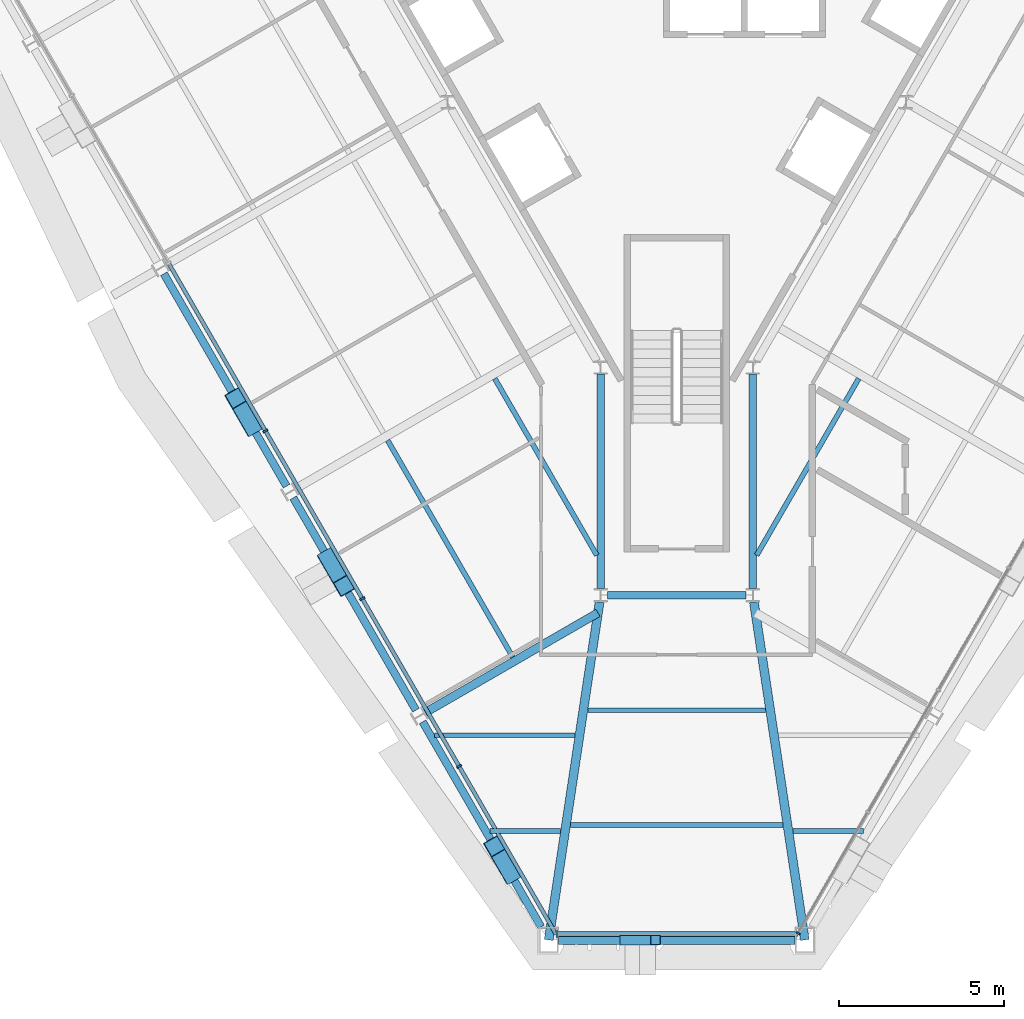
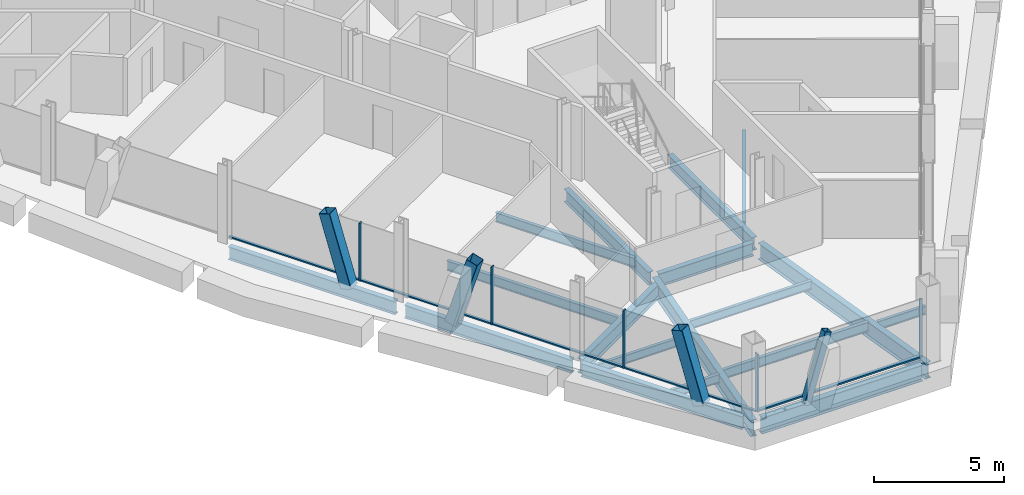
# One storey, part 3 of 17: 18 beams, 14 members, 3 elements without a shape of their own.
"""IFC4 building model written with IfcOpenShell, lengths in metres."""

from ifc_helpers import new_model, si_unit, direction, frame, origin, origin_2d, place, context, subcontext, project, spatial, rectangle, hollow_rectangle, i_section, extrude, material, material_profile, profile_set, type_object, element, aggregate, save


model = new_model("IFC4")

# Units and contexts
model_context = context("Model", 3, precision=1e-05, world=origin(), true_north=direction((0.0, 1.0)))
body_context = subcontext(model_context, "Body", "Model", "MODEL_VIEW")
ifc_project = project(units=[si_unit("LENGTHUNIT", "METRE"), si_unit("AREAUNIT", "SQUARE_METRE"), si_unit("VOLUMEUNIT", "CUBIC_METRE"), si_unit("PLANEANGLEUNIT", "RADIAN"), si_unit("MASSUNIT", "GRAM", prefix="KILO")], contexts=[model_context])

# Site, building, storey
site_placement = place(None, origin())
site = spatial("IfcSite", under=ifc_project, at=site_placement, CompositionType="ELEMENT")
building_placement = place(site_placement, origin())
building = spatial("IfcBuilding", under=site, at=building_placement, Name="Verrane Prism Tower", CompositionType="ELEMENT")
storey_placement = place(building_placement, frame((0.0, 0.0, 182.10009765625)))
storey = spatial("IfcBuildingStorey", under=building, at=storey_placement, Name="L45", CompositionType="ELEMENT", Elevation=182.10009765625)

# Member
ifc_material_1 = material(Name="Steel A500 Grade C", Category="steel")
ifc_material_profile_1 = material_profile(ifc_material_1, hollow_rectangle(XDim=0.3046875, YDim=0.3046875, WallThickness=0.0126953125, InnerFilletRadius=0.00634765625, OuterFilletRadius=0.01904296875, at=origin_2d()), Name="HSS12x12x1/2")
ifc_profile_set_1 = profile_set([ifc_material_profile_1], Name="Steel A500 Grade C")
member_type_1 = type_object("IfcMemberType", Name="Chamfer brace HSS12x12x1/2", PredefinedType="BRACE", material=ifc_profile_set_1)
member_1_placement = place(storey_placement, frame((-1.570068359375, -29.320068359375, -0.24267578125), z_axis=(0.286291300619, 0.0, 0.958142625704), x_axis=(0.0, 1.0, 0.0)))
element("IfcMember", 1, at=member_1_placement, inside=storey, type_object=member_type_1, Name="Chamfer brace S0 L45", PredefinedType="BRACE", context=body_context, shape_type="SweptSolid", body=[
    extrude(hollow_rectangle(XDim=0.3046875, YDim=0.3046875, WallThickness=0.0126953125, InnerFilletRadius=0.00634765625, OuterFilletRadius=0.01904296875, at=origin_2d()), origin(), (0.0, 0.0, 1.0), 3.243896484375),
])

# Beams
ifc_material_2 = material(Name="Steel A992", Category="steel")
ifc_material_profile_2 = material_profile(ifc_material_2, i_section(OverallWidth=0.2666015625, OverallDepth=0.7568359375, WebThickness=0.013916015625, FlangeThickness=0.019287109375, FilletRadius=0.0166015625, at=origin_2d()), Name="W30x108")
ifc_profile_set_2 = profile_set([ifc_material_profile_2], Name="Steel A992")
beam_type_1 = type_object("IfcBeamType", Name="Chamfer spandrel beam W30x108", PredefinedType="SPANDREL", material=ifc_profile_set_2)
beam_1_placement = place(storey_placement, frame((-3.570068359375, -29.320068359375, -0.53857421875), z_axis=(1.0, 0.0, 0.0), x_axis=(0.0, 1.0, 0.0)))
element("IfcBeam", 2, at=beam_1_placement, inside=storey, type_object=beam_type_1, Name="Chamfer spandrel beam L45", PredefinedType="SPANDREL", context=body_context, shape_type="SweptSolid", body=[
    extrude(i_section(OverallWidth=0.2666015625, OverallDepth=0.7568359375, WebThickness=0.013916015625, FlangeThickness=0.019287109375, FilletRadius=0.0166015625, at=origin_2d()), origin(), (0.0, 0.0, 1.0), 7.14013671875),
])
ifc_material_3 = material(Name="Steel A992", Category="steel")
ifc_material_profile_3 = material_profile(ifc_material_3, i_section(OverallWidth=0.23046875, OverallDepth=0.6171875, WebThickness=0.01318359375, FlangeThickness=0.022216796875, FilletRadius=0.012939453125, at=origin_2d()), Name="W24x94")
ifc_profile_set_3 = profile_set([ifc_material_profile_3], Name="Steel A992")
beam_type_2 = type_object("IfcBeamType", Name="Core ring girder W24x94", PredefinedType="BEAM", material=ifc_profile_set_3)
beam_2_placement = place(storey_placement, frame((-2.300048828125, -12.219482421875, -0.55859375), z_axis=(0.0, -1.0, 0.0), x_axis=(1.0, 0.0, 0.0)))
element("IfcBeam", 3, at=beam_2_placement, inside=storey, type_object=beam_type_2, Name="Core ring girder L45", PredefinedType="BEAM", context=body_context, shape_type="SweptSolid", body=[
    extrude(i_section(OverallWidth=0.23046875, OverallDepth=0.6171875, WebThickness=0.01318359375, FlangeThickness=0.022216796875, FilletRadius=0.012939453125, at=origin_2d()), origin(), (0.0, 0.0, 1.0), 6.47216796875),
])
beam_3_placement = place(storey_placement, frame((-2.0966796875, -18.89990234375, -0.55859375), z_axis=(1.0, 0.0, 0.0), x_axis=(0.0, 1.0, 0.0)))
element("IfcBeam", 4, at=beam_3_placement, inside=storey, type_object=beam_type_2, Name="Core ring girder L45", PredefinedType="BEAM", context=body_context, shape_type="SweptSolid", body=[
    extrude(i_section(OverallWidth=0.23046875, OverallDepth=0.6171875, WebThickness=0.01318359375, FlangeThickness=0.022216796875, FilletRadius=0.012939453125, at=origin_2d()), origin(), (0.0, 0.0, 1.0), 4.193359375),
])
beam_4_placement = place(storey_placement, frame((2.300048828125, -18.691650390625, -0.55859375), z_axis=(0.0, 1.0, 0.0), x_axis=(-1.0, 0.0, 0.0)))
element("IfcBeam", 5, at=beam_4_placement, inside=storey, type_object=beam_type_2, Name="Core ring girder L45", PredefinedType="BEAM", context=body_context, shape_type="SweptSolid", body=[
    extrude(i_section(OverallWidth=0.23046875, OverallDepth=0.6171875, WebThickness=0.01318359375, FlangeThickness=0.022216796875, FilletRadius=0.012939453125, at=origin_2d()), origin(), (0.0, 0.0, 1.0), 6.47216796875),
])
ifc_material_4 = material(Name="Steel A992", Category="steel")
ifc_material_profile_4 = material_profile(ifc_material_4, i_section(OverallWidth=0.2666015625, OverallDepth=0.76708984375, WebThickness=0.014892578125, FlangeThickness=0.023681640625, FilletRadius=0.0166015625, at=origin_2d()), Name="W30x124")
ifc_profile_set_4 = profile_set([ifc_material_profile_4], Name="Steel A992")
beam_type_3 = type_object("IfcBeamType", Name="Corner girder W30x124", PredefinedType="BEAM", material=ifc_profile_set_4)
for number, where, z_axis, x_axis, name in (
    (6, (-3.869384765625, -29.315185546875, -0.603515625), (0.149010088195, 0.98883567574, 0.0), (-0.98883567574, 0.149010088195, 0.0), "Corner girder L45"),
    (7, (3.869384765625, -29.315185546875, -0.603515625), (-0.149010088195, 0.98883567574, 0.0), (-0.98883567574, -0.149010088195, 0.0), "Corner girder L45"),
):
    element("IfcBeam", number, at=place(storey_placement, frame(where, z_axis=z_axis, x_axis=x_axis)), inside=storey, type_object=beam_type_3, Name=name, PredefinedType="BEAM", context=body_context, shape_type="SweptSolid", body=[
        extrude(i_section(OverallWidth=0.2666015625, OverallDepth=0.76708984375, WebThickness=0.014892578125, FlangeThickness=0.023681640625, FilletRadius=0.0166015625, at=origin_2d()), origin(), (0.0, 0.0, 1.0), 10.322021484375),
    ])

# Members
ifc_material_5 = material(Name="Steel A500 Grade C", Category="steel")
ifc_material_profile_5 = material_profile(ifc_material_5, hollow_rectangle(XDim=0.508056640625, YDim=0.508056640625, WallThickness=0.01904296875, InnerFilletRadius=0.009521484375, OuterFilletRadius=0.028564453125, at=origin_2d()), Name="HSS20x20x3/4")
ifc_profile_set_5 = profile_set([ifc_material_profile_5], Name="Steel A500 Grade C")
member_type_2 = type_object("IfcMemberType", Name="Facade brace HSS20x20x3/4", PredefinedType="BRACE", material=ifc_profile_set_5)
for number, where, z_axis, x_axis, name in (
    (8, (-12.84521484375, -13.77978515625, -0.216796875), (-0.144493588021, 0.250231304762, 0.957343144927), (-0.865991719008, -0.500058339205, 0.0), "Facade brace SW3 L45"),
    (9, (-10.534912109375, -17.780029296875, -0.216796875), (0.144565184454, -0.250228660193, 0.957333027249), (0.865882122788, 0.500248087888, 0.0), "Facade brace SW4 L45"),
    (10, (-5.025146484375, -27.31982421875, -0.216796875), (-0.144565184454, 0.250228660193, 0.957333027249), (-0.865882122788, -0.500248087888, 0.0), "Facade brace SW5 L45"),
):
    element("IfcMember", number, at=place(storey_placement, frame(where, z_axis=z_axis, x_axis=x_axis)), inside=storey, type_object=member_type_2, Name=name, PredefinedType="BRACE", context=body_context, shape_type="SweptSolid", body=[
        extrude(hollow_rectangle(XDim=0.508056640625, YDim=0.508056640625, WallThickness=0.01904296875, InnerFilletRadius=0.009521484375, OuterFilletRadius=0.028564453125, at=origin_2d()), origin(), (0.0, 0.0, 1.0), 3.338623046875),
    ])

# Beams
ifc_material_6 = material(Name="Steel A992", Category="steel")
ifc_material_profile_6 = material_profile(ifc_material_6, i_section(OverallWidth=0.140380859375, OverallDepth=0.40380859375, WebThickness=0.007080078125, FlangeThickness=0.01123046875, FilletRadius=0.01025390625, at=origin_2d()), Name="W16x31")
ifc_profile_set_6 = profile_set([ifc_material_profile_6], Name="Steel A992")
beam_type_4 = type_object("IfcBeamType", Name="Floor beam W16x31", PredefinedType="BEAM", material=ifc_profile_set_6)
beam_5_placement = place(storey_placement, frame((-5.64111328125, -26.023193359375, -0.362060546875), z_axis=(1.0, 0.0, 0.0), x_axis=(0.0, 1.0, 0.0)))
element("IfcBeam", 11, at=beam_5_placement, inside=storey, type_object=beam_type_4, Name="Floor beam L45", PredefinedType="BEAM", context=body_context, shape_type="SweptSolid", body=[
    extrude(i_section(OverallWidth=0.140380859375, OverallDepth=0.40380859375, WebThickness=0.007080078125, FlangeThickness=0.01123046875, FilletRadius=0.01025390625, at=origin_2d()), origin(), (0.0, 0.0, 1.0), 2.1328125),
])
beam_6_placement = place(storey_placement, frame((-7.314208984375, -23.126708984375, -0.362060546875), z_axis=(1.0, 0.0, 0.0), x_axis=(0.0, 1.0, 0.0)))
element("IfcBeam", 12, at=beam_6_placement, inside=storey, type_object=beam_type_4, Name="Floor beam L45", PredefinedType="BEAM", context=body_context, shape_type="SweptSolid", body=[
    extrude(i_section(OverallWidth=0.140380859375, OverallDepth=0.40380859375, WebThickness=0.007080078125, FlangeThickness=0.01123046875, FilletRadius=0.01025390625, at=origin_2d()), origin(), (0.0, 0.0, 1.0), 4.2421875),
])
beam_7_placement = place(storey_placement, frame((3.50830078125, -26.023193359375, -0.362060546875), z_axis=(1.0, 0.0, 0.0), x_axis=(0.0, 1.0, 0.0)))
element("IfcBeam", 13, at=beam_7_placement, inside=storey, type_object=beam_type_4, Name="Floor beam L45", PredefinedType="BEAM", context=body_context, shape_type="SweptSolid", body=[
    extrude(i_section(OverallWidth=0.140380859375, OverallDepth=0.40380859375, WebThickness=0.007080078125, FlangeThickness=0.01123046875, FilletRadius=0.01025390625, at=origin_2d()), origin(), (0.0, 0.0, 1.0), 2.1328125),
])
beam_8_placement = place(storey_placement, frame((-2.6884765625, -22.373291015625, -0.362060546875), z_axis=(1.0, 0.0, 0.0), x_axis=(0.0, 1.0, 0.0)))
element("IfcBeam", 14, at=beam_8_placement, inside=storey, type_object=beam_type_4, Name="Floor beam L45", PredefinedType="BEAM", context=body_context, shape_type="SweptSolid", body=[
    extrude(i_section(OverallWidth=0.140380859375, OverallDepth=0.40380859375, WebThickness=0.007080078125, FlangeThickness=0.01123046875, FilletRadius=0.01025390625, at=origin_2d()), origin(), (0.0, 0.0, 1.0), 5.376953125),
])
ifc_material_7 = material(Name="Steel A992", Category="steel")
ifc_material_profile_7 = material_profile(ifc_material_7, i_section(OverallWidth=0.15234375, OverallDepth=0.449462890625, WebThickness=0.007568359375, FlangeThickness=0.0107421875, FilletRadius=0.01025390625, at=origin_2d()), Name="W18x35")
ifc_profile_set_7 = profile_set([ifc_material_profile_7], Name="Steel A992")
beam_type_5 = type_object("IfcBeamType", Name="Floor beam W18x35", PredefinedType="BEAM", material=ifc_profile_set_7)
beam_9_placement = place(storey_placement, frame((-2.4150390625, -17.693603515625, -0.385009765625), z_axis=(-0.499998733127, 0.866026135213, 0.0), x_axis=(-0.866026135213, -0.499998733127, 0.0)))
element("IfcBeam", 15, at=beam_9_placement, inside=storey, type_object=beam_type_5, Name="Floor beam L45", PredefinedType="BEAM", context=body_context, shape_type="SweptSolid", body=[
    extrude(i_section(OverallWidth=0.15234375, OverallDepth=0.449462890625, WebThickness=0.007568359375, FlangeThickness=0.0107421875, FilletRadius=0.01025390625, at=origin_2d()), origin(), (0.0, 0.0, 1.0), 6.17041015625),
])
beam_10_placement = place(storey_placement, frame((-4.954345703125, -20.770751953125, -0.385009765625), z_axis=(-0.500013012896, 0.866017890655, 0.0), x_axis=(-0.866017890655, -0.500013012896, 0.0)))
element("IfcBeam", 16, at=beam_10_placement, inside=storey, type_object=beam_type_5, Name="Floor beam L45", PredefinedType="BEAM", context=body_context, shape_type="SweptSolid", body=[
    extrude(i_section(OverallWidth=0.15234375, OverallDepth=0.449462890625, WebThickness=0.007568359375, FlangeThickness=0.0107421875, FilletRadius=0.01025390625, at=origin_2d()), origin(), (0.0, 0.0, 1.0), 7.564208984375),
])
beam_11_placement = place(storey_placement, frame((2.4150390625, -17.693603515625, -0.385009765625), z_axis=(0.499998733127, 0.866026135213, 0.0), x_axis=(-0.866026135213, 0.499998733127, 0.0)))
element("IfcBeam", 17, at=beam_11_placement, inside=storey, type_object=beam_type_5, Name="Floor beam L45", PredefinedType="BEAM", context=body_context, shape_type="SweptSolid", body=[
    extrude(i_section(OverallWidth=0.15234375, OverallDepth=0.449462890625, WebThickness=0.007568359375, FlangeThickness=0.0107421875, FilletRadius=0.01025390625, at=origin_2d()), origin(), (0.0, 0.0, 1.0), 6.17041015625),
])
beam_12_placement = place(storey_placement, frame((-3.211669921875, -25.8466796875, -0.385009765625), z_axis=(1.0, 0.0, 0.0), x_axis=(0.0, 1.0, 0.0)))
element("IfcBeam", 18, at=beam_12_placement, inside=storey, type_object=beam_type_5, Name="Floor beam L45", PredefinedType="BEAM", context=body_context, shape_type="SweptSolid", body=[
    extrude(i_section(OverallWidth=0.15234375, OverallDepth=0.449462890625, WebThickness=0.007568359375, FlangeThickness=0.0107421875, FilletRadius=0.01025390625, at=origin_2d()), origin(), (0.0, 0.0, 1.0), 6.42333984375),
])

# Curtain wall, member
ifc_material_8 = material(Name="Aluminium framed insulated glazing", Category="aluminium")
curtain_wall_type_1 = type_object("IfcCurtainWallType", Name="Curtain wall CW-C 4200 module", PredefinedType="NOTDEFINED", material=ifc_material_8)
curtain_wall_1_placement = place(storey_placement, origin())
curtain_wall_1 = element("IfcCurtainWall", 19, at=curtain_wall_1_placement, inside=storey, type_object=curtain_wall_type_1, Name="Glazed curtain wall south-east face L45", PredefinedType="NOTDEFINED")
ifc_material_9 = material(Name="Aluminium alloy 6063-T6", Category="aluminium")
ifc_material_profile_8 = material_profile(ifc_material_9, rectangle(XDim=0.139892578125, YDim=0.050048828125, at=origin_2d()), Name="Mullion 50x140 aluminium")
ifc_profile_set_8 = profile_set([ifc_material_profile_8], Name="Aluminium alloy 6063-T6")
member_type_3 = type_object("IfcMemberType", Name="Mullion 50x140 aluminium", PredefinedType="MULLION", material=ifc_profile_set_8)
member_2_placement = place(storey_placement, frame((3.663818359375, -29.1162109375, 0.0), z_axis=(0.0, 0.0, 1.0), x_axis=(-0.866025734201, 0.499999427701, 0.0)))
member_2 = element("IfcMember", 20, at=member_2_placement, type_object=member_type_3, Name="CW44.6 mullion 1", PredefinedType="MULLION", context=body_context, shape_type="SweptSolid", body=[
    extrude(rectangle(XDim=0.139892578125, YDim=0.050048828125, at=origin_2d()), origin(), (0.0, 0.0, 1.0), 2.712890625),
])
aggregate(curtain_wall_1, [member_2])

# Curtain wall, members
ifc_material_10 = material(Name="Aluminium framed insulated glazing", Category="aluminium")
curtain_wall_type_2 = type_object("IfcCurtainWallType", Name="Curtain wall CW-B 5600 module", PredefinedType="NOTDEFINED", material=ifc_material_10)
curtain_wall_2_placement = place(storey_placement, origin())
curtain_wall_2 = element("IfcCurtainWall", 21, at=curtain_wall_2_placement, inside=storey, type_object=curtain_wall_type_2, Name="Glazed curtain wall south-west face L45", PredefinedType="NOTDEFINED")
ifc_material_11 = material(Name="Aluminium alloy 6063-T6", Category="aluminium")
ifc_material_profile_9 = material_profile(ifc_material_11, rectangle(XDim=0.159912109375, YDim=0.06005859375, at=origin_2d()), Name="Mullion 60x160 aluminium")
ifc_profile_set_9 = profile_set([ifc_material_profile_9], Name="Aluminium alloy 6063-T6")
member_type_4 = type_object("IfcMemberType", Name="Mullion 60x160 aluminium", PredefinedType="MULLION", material=ifc_profile_set_9)
member_3_placement = place(storey_placement, frame((-12.429443359375, -13.93359375, 0.0), z_axis=(0.0, 0.0, 1.0), x_axis=(0.866025734201, 0.499999427701, 0.0)))
member_3 = element("IfcMember", 22, at=member_3_placement, type_object=member_type_4, Name="CW44.4 mullion 6", PredefinedType="MULLION", context=body_context, shape_type="SweptSolid", body=[
    extrude(rectangle(XDim=0.159912109375, YDim=0.06005859375, at=origin_2d()), origin(), (0.0, 0.0, 1.0), 2.712890625),
])
member_4_placement = place(storey_placement, frame((-9.50341796875, -19.001708984375, 0.0), z_axis=(0.0, 0.0, 1.0), x_axis=(0.866025734201, 0.499999427701, 0.0)))
member_4 = element("IfcMember", 23, at=member_4_placement, type_object=member_type_4, Name="CW44.4 mullion 7", PredefinedType="MULLION", context=body_context, shape_type="SweptSolid", body=[
    extrude(rectangle(XDim=0.159912109375, YDim=0.06005859375, at=origin_2d()), origin(), (0.0, 0.0, 1.0), 2.712890625),
])
member_5_placement = place(storey_placement, frame((-6.577392578125, -24.06982421875, 0.0), z_axis=(0.0, 0.0, 1.0), x_axis=(0.866025734201, 0.499999427701, 0.0)))
member_5 = element("IfcMember", 24, at=member_5_placement, type_object=member_type_4, Name="CW44.4 mullion 8", PredefinedType="MULLION", context=body_context, shape_type="SweptSolid", body=[
    extrude(rectangle(XDim=0.159912109375, YDim=0.06005859375, at=origin_2d()), origin(), (0.0, 0.0, 1.0), 2.712890625),
])

# Curtain wall, member
ifc_material_12 = material(Name="Aluminium framed insulated glazing", Category="aluminium")
curtain_wall_type_3 = type_object("IfcCurtainWallType", Name="Curtain wall CW-A 8400 module", PredefinedType="NOTDEFINED", material=ifc_material_12)
curtain_wall_3_placement = place(storey_placement, origin())
curtain_wall_3 = element("IfcCurtainWall", 25, at=curtain_wall_3_placement, inside=storey, type_object=curtain_wall_type_3, Name="Glazed curtain wall south corner L45", PredefinedType="NOTDEFINED")
ifc_material_13 = material(Name="Aluminium alloy 6063-T6", Category="aluminium")
ifc_material_profile_10 = material_profile(ifc_material_13, rectangle(XDim=0.199951171875, YDim=0.070068359375, at=origin_2d()), Name="Mullion 70x200 aluminium")
ifc_profile_set_10 = profile_set([ifc_material_profile_10], Name="Aluminium alloy 6063-T6")
member_type_5 = type_object("IfcMemberType", Name="Mullion 70x200 aluminium", PredefinedType="MULLION", material=ifc_profile_set_10)
member_6_placement = place(storey_placement, frame((-3.6162109375, -29.1376953125, 0.0), z_axis=(0.0, 0.0, 1.0), x_axis=(0.0, 1.0, 0.0)))
member_6 = element("IfcMember", 26, at=member_6_placement, type_object=member_type_5, Name="CW44.5 mullion 1", PredefinedType="MULLION", context=body_context, shape_type="SweptSolid", body=[
    extrude(rectangle(XDim=0.199951171875, YDim=0.070068359375, at=origin_2d()), origin(), (0.0, 0.0, 1.0), 2.712890625),
])

# Beams
ifc_material_14 = material(Name="Steel A992", Category="steel")
ifc_material_profile_11 = material_profile(ifc_material_14, i_section(OverallWidth=0.25390625, OverallDepth=0.683349609375, WebThickness=0.012451171875, FlangeThickness=0.01904296875, FilletRadius=0.01513671875, at=origin_2d()), Name="W27x94")
ifc_profile_set_11 = profile_set([ifc_material_profile_11], Name="Steel A992")
beam_type_6 = type_object("IfcBeamType", Name="Radial girder W27x94", PredefinedType="BEAM", material=ifc_profile_set_11)
beam_13_placement = place(storey_placement, frame((-7.599609375, -22.44580078125, -0.561767578125), z_axis=(0.866028410322, 0.499994792488, 0.0), x_axis=(-0.499994792488, 0.866028410322, 0.0)))
element("IfcBeam", 27, at=beam_13_placement, inside=storey, type_object=beam_type_6, Name="Radial girder L45", PredefinedType="BEAM", context=body_context, shape_type="SweptSolid", body=[
    extrude(i_section(OverallWidth=0.25390625, OverallDepth=0.683349609375, WebThickness=0.012451171875, FlangeThickness=0.01904296875, FilletRadius=0.01513671875, at=origin_2d()), origin(), (0.0, 0.0, 1.0), 6.02685546875),
])
ifc_material_15 = material(Name="Steel A992", Category="steel")
ifc_material_profile_12 = material_profile(ifc_material_15, i_section(OverallWidth=0.23046875, OverallDepth=0.6171875, WebThickness=0.01318359375, FlangeThickness=0.022216796875, FilletRadius=0.012939453125, at=origin_2d()), Name="W24x94")
ifc_profile_set_12 = profile_set([ifc_material_profile_12], Name="Steel A992")
beam_type_7 = type_object("IfcBeamType", Name="Spandrel beam W24x94", PredefinedType="SPANDREL", material=ifc_profile_set_12)
for number, where, z_axis, x_axis, name in (
    (28, (-15.498291015625, -9.18603515625, -0.46875), (0.50013874289, -0.86594528572, 0.0), (0.86594528572, 0.50013874289, 0.0), "Spandrel beam L45"),
    (29, (-11.58837890625, -15.9560546875, -0.46875), (0.50013874289, -0.86594528572, 0.0), (0.86594528572, 0.50013874289, 0.0), "Spandrel beam L45"),
):
    element("IfcBeam", number, at=place(storey_placement, frame(where, z_axis=z_axis, x_axis=x_axis)), inside=storey, type_object=beam_type_7, Name=name, PredefinedType="SPANDREL", context=body_context, shape_type="SweptSolid", body=[
        extrude(i_section(OverallWidth=0.23046875, OverallDepth=0.6171875, WebThickness=0.01318359375, FlangeThickness=0.022216796875, FilletRadius=0.012939453125, at=origin_2d()), origin(), (0.0, 0.0, 1.0), 7.41162109375),
    ])
beam_14_placement = place(storey_placement, frame((-7.678466796875, -22.72607421875, -0.46875), z_axis=(0.50014395567, -0.865942274985, 0.0), x_axis=(0.865942274985, 0.50014395567, 0.0)))
element("IfcBeam", 30, at=beam_14_placement, inside=storey, type_object=beam_type_7, Name="Spandrel beam L45", PredefinedType="SPANDREL", context=body_context, shape_type="SweptSolid", body=[
    extrude(i_section(OverallWidth=0.23046875, OverallDepth=0.6171875, WebThickness=0.01318359375, FlangeThickness=0.022216796875, FilletRadius=0.012939453125, at=origin_2d()), origin(), (0.0, 0.0, 1.0), 7.15283203125),
])

# Member
ifc_material_16 = material(Name="Aluminium alloy 6063-T6", Category="aluminium")
ifc_material_profile_13 = material_profile(ifc_material_16, rectangle(XDim=0.1201171875, YDim=0.06005859375, at=origin_2d()), Name="Transom 60x120 aluminium")
ifc_profile_set_13 = profile_set([ifc_material_profile_13], Name="Aluminium alloy 6063-T6")
member_type_6 = type_object("IfcMemberType", Name="Transom 60x120 aluminium", PredefinedType="USERDEFINED", material=ifc_profile_set_13)
member_7_placement = place(storey_placement, frame((-15.340576171875, -8.8916015625, 0.02978515625), z_axis=(0.500024068525, -0.866011507369, 0.0), x_axis=(0.866011507369, 0.500024068525, 0.0)))
member_7 = element("IfcMember", 31, at=member_7_placement, type_object=member_type_6, Name="CW44.4 transom 5", ObjectType="TRANSOM", PredefinedType="USERDEFINED", context=body_context, shape_type="SweptSolid", body=[
    extrude(rectangle(XDim=0.1201171875, YDim=0.06005859375, at=origin_2d()), origin(), (0.0, 0.0, 1.0), 5.792236328125),
])

member_8_placement = place(storey_placement, frame((-12.41455078125, -13.95947265625, 0.02978515625), z_axis=(0.500024068525, -0.866011507369, 0.0), x_axis=(0.866011507369, 0.500024068525, 0.0)))
member_8 = element("IfcMember", 32, at=member_8_placement, type_object=member_type_6, Name="CW44.4 transom 6", ObjectType="TRANSOM", PredefinedType="USERDEFINED", context=body_context, shape_type="SweptSolid", body=[
    extrude(rectangle(XDim=0.1201171875, YDim=0.06005859375, at=origin_2d()), origin(), (0.0, 0.0, 1.0), 5.792236328125),
])

member_9_placement = place(storey_placement, frame((-9.48828125, -19.027587890625, 0.02978515625), z_axis=(0.499992456128, -0.866029759197, 0.0), x_axis=(0.866029759197, 0.499992456128, 0.0)))
member_9 = element("IfcMember", 33, at=member_9_placement, type_object=member_type_6, Name="CW44.4 transom 7", ObjectType="TRANSOM", PredefinedType="USERDEFINED", context=body_context, shape_type="SweptSolid", body=[
    extrude(rectangle(XDim=0.1201171875, YDim=0.06005859375, at=origin_2d()), origin(), (0.0, 0.0, 1.0), 5.7919921875),
])

member_10_placement = place(storey_placement, frame((-6.562255859375, -24.095703125, 0.02978515625), z_axis=(0.499986231991, -0.866033352602, 0.0), x_axis=(0.866033352602, 0.499986231991, 0.0)))
member_10 = element("IfcMember", 34, at=member_10_placement, type_object=member_type_6, Name="CW44.4 transom 8", ObjectType="TRANSOM", PredefinedType="USERDEFINED", context=body_context, shape_type="SweptSolid", body=[
    extrude(rectangle(XDim=0.1201171875, YDim=0.06005859375, at=origin_2d()), origin(), (0.0, 0.0, 1.0), 5.822021484375),
])

aggregate(curtain_wall_2, [member_3, member_4, member_5, member_7, member_8, member_9, member_10])

ifc_material_17 = material(Name="Aluminium alloy 6063-T6", Category="aluminium")
ifc_material_profile_14 = material_profile(ifc_material_17, rectangle(XDim=0.14990234375, YDim=0.070068359375, at=origin_2d()), Name="Transom 70x150 aluminium")
ifc_profile_set_14 = profile_set([ifc_material_profile_14], Name="Aluminium alloy 6063-T6")
member_type_7 = type_object("IfcMemberType", Name="Transom 70x150 aluminium", PredefinedType="USERDEFINED", material=ifc_profile_set_14)
member_11_placement = place(storey_placement, frame((-3.581298828125, -29.1376953125, 0.034912109375), z_axis=(1.0, 0.0, 0.0), x_axis=(0.0, 1.0, 0.0)))
member_11 = element("IfcMember", 35, at=member_11_placement, type_object=member_type_7, Name="CW44.5 transom 1", ObjectType="TRANSOM", PredefinedType="USERDEFINED", context=body_context, shape_type="SweptSolid", body=[
    extrude(rectangle(XDim=0.14990234375, YDim=0.070068359375, at=origin_2d()), origin(), (0.0, 0.0, 1.0), 7.232666015625),
])

aggregate(curtain_wall_3, [member_6, member_11])

save(model, "model.ifc")
